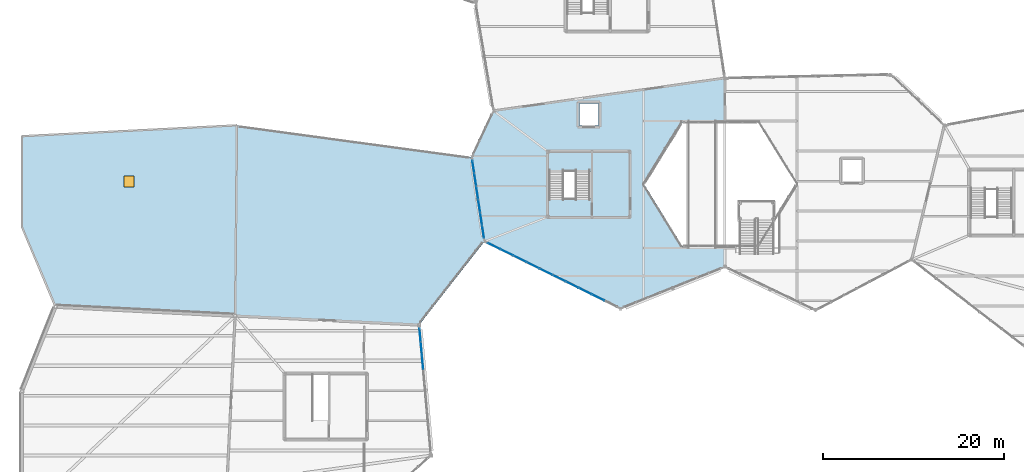
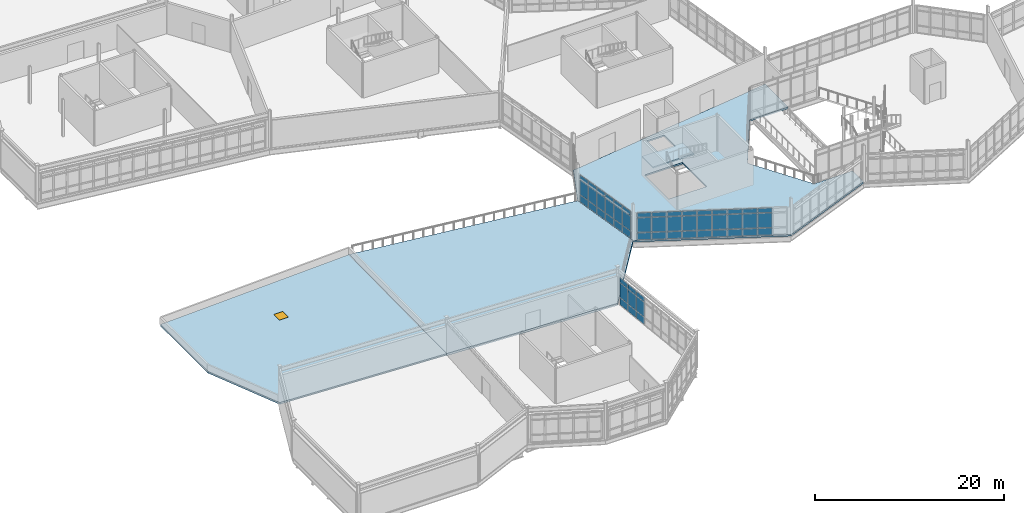
# One storey, part 69 of 114: 54 plates, 4 slabs, 1 door, 1 opening, 4 elements without a shape of their own.
"""IFC4 building model written with IfcOpenShell, lengths in metres."""

from ifc_helpers import new_model, si_unit, direction, frame, origin, origin_2d, place, context, subcontext, project, spatial, polyline, rectangle, outline, extrude, material, layer, layer_set, type_object, element, fill, aggregate, save


model = new_model("IFC4")

# Units and contexts
model_context = context("Model", 3, precision=1e-05, world=origin(), true_north=direction((0.0, 1.0)))
body_context = subcontext(model_context, "Body", "Model", "MODEL_VIEW")
ifc_project = project(units=[si_unit("LENGTHUNIT", "METRE"), si_unit("AREAUNIT", "SQUARE_METRE"), si_unit("VOLUMEUNIT", "CUBIC_METRE"), si_unit("PLANEANGLEUNIT", "RADIAN"), si_unit("MASSUNIT", "GRAM", prefix="KILO")], contexts=[model_context])

# Site, building, storey
site_placement = place(None, origin())
site = spatial("IfcSite", under=ifc_project, at=site_placement, CompositionType="ELEMENT")
building_placement = place(site_placement, origin())
building = spatial("IfcBuilding", under=site, at=building_placement, Name="Tameran Prism Museum", CompositionType="ELEMENT")
storey_placement = place(building_placement, frame((0.0, 0.0, 10.199951171875)))
storey = spatial("IfcBuildingStorey", under=building, at=storey_placement, Name="L02", CompositionType="ELEMENT", Elevation=10.199951171875)

# Curtain wall, plates
ifc_material_1 = material(Name="Anodised Aluminium 6063-T6 and Cyclone Solar Glass", Category="aluminium")
curtain_wall_type_1 = type_object("IfcCurtainWallType", Name="CW-FAC-1376x362", PredefinedType="USERDEFINED", material=ifc_material_1)
curtain_wall_1_placement = place(storey_placement, origin())
curtain_wall_1 = element("IfcCurtainWall", 1, at=curtain_wall_1_placement, inside=storey, type_object=curtain_wall_type_1, Name="Unitised Curtain Wall CW-123", ObjectType="UNITISED CURTAIN WALL", PredefinedType="USERDEFINED")
ifc_material_2 = material(Name="Low-E Laminated Solar Glass", Category="glass")
ifc_layer_1 = layer(ifc_material_2, 0.028076171875)
ifc_layer_set_1 = layer_set([ifc_layer_1])
plate_type_1 = type_object("IfcPlateType", Name="CW-PNL-G28", PredefinedType="CURTAIN_PANEL", material=ifc_layer_set_1)
plate_1_placement = place(storey_placement, frame((43.901123046875, 19.87353515625, 0.06494140625), z_axis=(0.0, 0.0, 1.0), x_axis=(0.089985225386, -0.995943100389, 0.0)))
plate_1 = element("IfcPlate", 2, at=plate_1_placement, type_object=plate_type_1, Name="CW-123 panel 1.1", PredefinedType="CURTAIN_PANEL", context=body_context, shape_type="SweptSolid", body=[
    extrude(rectangle(XDim=1.43115234375, YDim=0.028076171875, at=origin_2d()), origin(), (0.0, 0.0, 1.0), 0.902587890625),
])
plate_2_placement = place(storey_placement, frame((43.901123046875, 19.87353515625, 1.032470703125), z_axis=(0.0, 0.0, 1.0), x_axis=(0.089985225386, -0.995943100389, 0.0)))
plate_2 = element("IfcPlate", 3, at=plate_2_placement, type_object=plate_type_1, Name="CW-123 panel 1.2", PredefinedType="CURTAIN_PANEL", context=body_context, shape_type="SweptSolid", body=[
    extrude(rectangle(XDim=1.43115234375, YDim=0.028076171875, at=origin_2d()), origin(), (0.0, 0.0, 1.0), 1.875),
])
plate_3_placement = place(storey_placement, frame((43.901123046875, 19.87353515625, 2.97265625), z_axis=(0.0, 0.0, 1.0), x_axis=(0.089985225386, -0.995943100389, 0.0)))
plate_3 = element("IfcPlate", 4, at=plate_3_placement, type_object=plate_type_1, Name="CW-123 panel 1.3", PredefinedType="CURTAIN_PANEL", context=body_context, shape_type="SweptSolid", body=[
    extrude(rectangle(XDim=1.43115234375, YDim=0.028076171875, at=origin_2d()), origin(), (0.0, 0.0, 1.0), 0.58251953125),
])
plate_4_placement = place(storey_placement, frame((44.037353515625, 18.367431640625, 0.06494140625), z_axis=(0.0, 0.0, 1.0), x_axis=(0.089985225386, -0.995943100389, 0.0)))
plate_4 = element("IfcPlate", 5, at=plate_4_placement, type_object=plate_type_1, Name="CW-123 panel 2.1", PredefinedType="CURTAIN_PANEL", context=body_context, shape_type="SweptSolid", body=[
    extrude(rectangle(XDim=1.463623046875, YDim=0.028076171875, at=origin_2d()), origin(), (0.0, 0.0, 1.0), 0.902587890625),
])
plate_5_placement = place(storey_placement, frame((44.037353515625, 18.367431640625, 1.032470703125), z_axis=(0.0, 0.0, 1.0), x_axis=(0.089985225386, -0.995943100389, 0.0)))
plate_5 = element("IfcPlate", 6, at=plate_5_placement, type_object=plate_type_1, Name="CW-123 panel 2.2", PredefinedType="CURTAIN_PANEL", context=body_context, shape_type="SweptSolid", body=[
    extrude(rectangle(XDim=1.463623046875, YDim=0.028076171875, at=origin_2d()), origin(), (0.0, 0.0, 1.0), 1.875),
])
plate_6_placement = place(storey_placement, frame((44.037353515625, 18.367431640625, 2.97265625), z_axis=(0.0, 0.0, 1.0), x_axis=(0.089985225386, -0.995943100389, 0.0)))
plate_6 = element("IfcPlate", 7, at=plate_6_placement, type_object=plate_type_1, Name="CW-123 panel 2.3", PredefinedType="CURTAIN_PANEL", context=body_context, shape_type="SweptSolid", body=[
    extrude(rectangle(XDim=1.463623046875, YDim=0.028076171875, at=origin_2d()), origin(), (0.0, 0.0, 1.0), 0.58251953125),
])
plate_7_placement = place(storey_placement, frame((44.1748046875, 16.844970703125, 0.06494140625), z_axis=(0.0, 0.0, 1.0), x_axis=(0.089985225386, -0.995943100389, 0.0)))
plate_7 = element("IfcPlate", 8, at=plate_7_placement, type_object=plate_type_1, Name="CW-123 panel 3.1", PredefinedType="CURTAIN_PANEL", context=body_context, shape_type="SweptSolid", body=[
    extrude(rectangle(XDim=1.463623046875, YDim=0.028076171875, at=origin_2d()), origin(), (0.0, 0.0, 1.0), 0.902587890625),
])
plate_8_placement = place(storey_placement, frame((44.1748046875, 16.844970703125, 1.032470703125), z_axis=(0.0, 0.0, 1.0), x_axis=(0.089985225386, -0.995943100389, 0.0)))
plate_8 = element("IfcPlate", 9, at=plate_8_placement, type_object=plate_type_1, Name="CW-123 panel 3.2", PredefinedType="CURTAIN_PANEL", context=body_context, shape_type="SweptSolid", body=[
    extrude(rectangle(XDim=1.463623046875, YDim=0.028076171875, at=origin_2d()), origin(), (0.0, 0.0, 1.0), 1.875),
])
plate_9_placement = place(storey_placement, frame((44.1748046875, 16.844970703125, 2.97265625), z_axis=(0.0, 0.0, 1.0), x_axis=(0.089985225386, -0.995943100389, 0.0)))
plate_9 = element("IfcPlate", 10, at=plate_9_placement, type_object=plate_type_1, Name="CW-123 panel 3.3", PredefinedType="CURTAIN_PANEL", context=body_context, shape_type="SweptSolid", body=[
    extrude(rectangle(XDim=1.463623046875, YDim=0.028076171875, at=origin_2d()), origin(), (0.0, 0.0, 1.0), 0.58251953125),
])
aggregate(curtain_wall_1, [plate_1, plate_2, plate_3, plate_4, plate_5, plate_6, plate_7, plate_8, plate_9])

ifc_material_3 = material(Name="Anodised Aluminium 6063-T6 and Cyclone Solar Glass", Category="aluminium")
curtain_wall_type_2 = type_object("IfcCurtainWallType", Name="CW-FAC-870x362", PredefinedType="USERDEFINED", material=ifc_material_3)
curtain_wall_2_placement = place(storey_placement, origin())
curtain_wall_2 = element("IfcCurtainWall", 11, at=curtain_wall_2_placement, inside=storey, type_object=curtain_wall_type_2, Name="Unitised Curtain Wall CW-105", ObjectType="UNITISED CURTAIN WALL", PredefinedType="USERDEFINED")
ifc_material_4 = material(Name="Cyclone Laminated Solar Glass", Category="glass")
ifc_layer_2 = layer(ifc_material_4, 0.031982421875)
ifc_layer_set_2 = layer_set([ifc_layer_2])
plate_type_2 = type_object("IfcPlateType", Name="CW-PNL-G32", PredefinedType="CURTAIN_PANEL", material=ifc_layer_set_2)
plate_10_placement = place(storey_placement, frame((50.837158203125, 31.281982421875, 0.0751953125), z_axis=(0.0, 0.0, 1.0), x_axis=(-0.148879703546, 0.988855314933, 0.0)))
plate_10 = element("IfcPlate", 12, at=plate_10_placement, type_object=plate_type_2, Name="CW-105 panel 1.1", PredefinedType="CURTAIN_PANEL", context=body_context, shape_type="SweptSolid", body=[
    extrude(rectangle(XDim=1.33837890625, YDim=0.031982421875, at=origin_2d()), origin(), (0.0, 0.0, 1.0), 0.887451171875),
])
plate_11_placement = place(storey_placement, frame((50.837158203125, 31.281982421875, 1.03759765625), z_axis=(0.0, 0.0, 1.0), x_axis=(-0.148879703546, 0.988855314933, 0.0)))
plate_11 = element("IfcPlate", 13, at=plate_11_placement, type_object=plate_type_2, Name="CW-105 panel 1.2", PredefinedType="CURTAIN_PANEL", context=body_context, shape_type="SweptSolid", body=[
    extrude(rectangle(XDim=1.33837890625, YDim=0.031982421875, at=origin_2d()), origin(), (0.0, 0.0, 1.0), 1.864990234375),
])
plate_12_placement = place(storey_placement, frame((50.837158203125, 31.281982421875, 2.9775390625), z_axis=(0.0, 0.0, 1.0), x_axis=(-0.148879703546, 0.988855314933, 0.0)))
plate_12 = element("IfcPlate", 14, at=plate_12_placement, type_object=plate_type_2, Name="CW-105 panel 1.3", PredefinedType="CURTAIN_PANEL", context=body_context, shape_type="SweptSolid", body=[
    extrude(rectangle(XDim=1.33837890625, YDim=0.031982421875, at=origin_2d()), origin(), (0.0, 0.0, 1.0), 0.5673828125),
])
plate_13_placement = place(storey_placement, frame((50.6240234375, 32.697998046875, 0.0751953125), z_axis=(0.0, 0.0, 1.0), x_axis=(-0.148879703546, 0.988855314933, 0.0)))
plate_13 = element("IfcPlate", 15, at=plate_13_placement, type_object=plate_type_2, Name="CW-105 panel 2.1", PredefinedType="CURTAIN_PANEL", context=body_context, shape_type="SweptSolid", body=[
    extrude(rectangle(XDim=1.375732421875, YDim=0.031982421875, at=origin_2d()), origin(), (0.0, 0.0, 1.0), 0.887451171875),
])
plate_14_placement = place(storey_placement, frame((50.6240234375, 32.697998046875, 1.03759765625), z_axis=(0.0, 0.0, 1.0), x_axis=(-0.148879703546, 0.988855314933, 0.0)))
plate_14 = element("IfcPlate", 16, at=plate_14_placement, type_object=plate_type_2, Name="CW-105 panel 2.2", PredefinedType="CURTAIN_PANEL", context=body_context, shape_type="SweptSolid", body=[
    extrude(rectangle(XDim=1.375732421875, YDim=0.031982421875, at=origin_2d()), origin(), (0.0, 0.0, 1.0), 1.864990234375),
])
plate_15_placement = place(storey_placement, frame((50.6240234375, 32.697998046875, 2.9775390625), z_axis=(0.0, 0.0, 1.0), x_axis=(-0.148879703546, 0.988855314933, 0.0)))
plate_15 = element("IfcPlate", 17, at=plate_15_placement, type_object=plate_type_2, Name="CW-105 panel 2.3", PredefinedType="CURTAIN_PANEL", context=body_context, shape_type="SweptSolid", body=[
    extrude(rectangle(XDim=1.375732421875, YDim=0.031982421875, at=origin_2d()), origin(), (0.0, 0.0, 1.0), 0.5673828125),
])
plate_16_placement = place(storey_placement, frame((50.407958984375, 34.132568359375, 0.0751953125), z_axis=(0.0, 0.0, 1.0), x_axis=(-0.148879703546, 0.988855314933, 0.0)))
plate_16 = element("IfcPlate", 18, at=plate_16_placement, type_object=plate_type_2, Name="CW-105 panel 3.1", PredefinedType="CURTAIN_PANEL", context=body_context, shape_type="SweptSolid", body=[
    extrude(rectangle(XDim=1.375732421875, YDim=0.031982421875, at=origin_2d()), origin(), (0.0, 0.0, 1.0), 0.887451171875),
])
plate_17_placement = place(storey_placement, frame((50.407958984375, 34.132568359375, 1.03759765625), z_axis=(0.0, 0.0, 1.0), x_axis=(-0.148879703546, 0.988855314933, 0.0)))
plate_17 = element("IfcPlate", 19, at=plate_17_placement, type_object=plate_type_2, Name="CW-105 panel 3.2", PredefinedType="CURTAIN_PANEL", context=body_context, shape_type="SweptSolid", body=[
    extrude(rectangle(XDim=1.375732421875, YDim=0.031982421875, at=origin_2d()), origin(), (0.0, 0.0, 1.0), 1.864990234375),
])
plate_18_placement = place(storey_placement, frame((50.407958984375, 34.132568359375, 2.9775390625), z_axis=(0.0, 0.0, 1.0), x_axis=(-0.148879703546, 0.988855314933, 0.0)))
plate_18 = element("IfcPlate", 20, at=plate_18_placement, type_object=plate_type_2, Name="CW-105 panel 3.3", PredefinedType="CURTAIN_PANEL", context=body_context, shape_type="SweptSolid", body=[
    extrude(rectangle(XDim=1.375732421875, YDim=0.031982421875, at=origin_2d()), origin(), (0.0, 0.0, 1.0), 0.5673828125),
])
plate_19_placement = place(storey_placement, frame((50.19189453125, 35.5673828125, 0.0751953125), z_axis=(0.0, 0.0, 1.0), x_axis=(-0.148879703546, 0.988855314933, 0.0)))
plate_19 = element("IfcPlate", 21, at=plate_19_placement, type_object=plate_type_2, Name="CW-105 panel 4.1", PredefinedType="CURTAIN_PANEL", context=body_context, shape_type="SweptSolid", body=[
    extrude(rectangle(XDim=1.375732421875, YDim=0.031982421875, at=origin_2d()), origin(), (0.0, 0.0, 1.0), 0.887451171875),
])
plate_20_placement = place(storey_placement, frame((50.19189453125, 35.5673828125, 1.03759765625), z_axis=(0.0, 0.0, 1.0), x_axis=(-0.148879703546, 0.988855314933, 0.0)))
plate_20 = element("IfcPlate", 22, at=plate_20_placement, type_object=plate_type_2, Name="CW-105 panel 4.2", PredefinedType="CURTAIN_PANEL", context=body_context, shape_type="SweptSolid", body=[
    extrude(rectangle(XDim=1.375732421875, YDim=0.031982421875, at=origin_2d()), origin(), (0.0, 0.0, 1.0), 1.864990234375),
])
plate_21_placement = place(storey_placement, frame((50.19189453125, 35.5673828125, 2.9775390625), z_axis=(0.0, 0.0, 1.0), x_axis=(-0.148879703546, 0.988855314933, 0.0)))
plate_21 = element("IfcPlate", 23, at=plate_21_placement, type_object=plate_type_2, Name="CW-105 panel 4.3", PredefinedType="CURTAIN_PANEL", context=body_context, shape_type="SweptSolid", body=[
    extrude(rectangle(XDim=1.375732421875, YDim=0.031982421875, at=origin_2d()), origin(), (0.0, 0.0, 1.0), 0.5673828125),
])
plate_22_placement = place(storey_placement, frame((49.97607421875, 37.001953125, 0.0751953125), z_axis=(0.0, 0.0, 1.0), x_axis=(-0.148879703546, 0.988855314933, 0.0)))
plate_22 = element("IfcPlate", 24, at=plate_22_placement, type_object=plate_type_2, Name="CW-105 panel 5.1", PredefinedType="CURTAIN_PANEL", context=body_context, shape_type="SweptSolid", body=[
    extrude(rectangle(XDim=1.375732421875, YDim=0.031982421875, at=origin_2d()), origin(), (0.0, 0.0, 1.0), 0.887451171875),
])
plate_23_placement = place(storey_placement, frame((49.97607421875, 37.001953125, 1.03759765625), z_axis=(0.0, 0.0, 1.0), x_axis=(-0.148879703546, 0.988855314933, 0.0)))
plate_23 = element("IfcPlate", 25, at=plate_23_placement, type_object=plate_type_2, Name="CW-105 panel 5.2", PredefinedType="CURTAIN_PANEL", context=body_context, shape_type="SweptSolid", body=[
    extrude(rectangle(XDim=1.375732421875, YDim=0.031982421875, at=origin_2d()), origin(), (0.0, 0.0, 1.0), 1.864990234375),
])
plate_24_placement = place(storey_placement, frame((49.97607421875, 37.001953125, 2.9775390625), z_axis=(0.0, 0.0, 1.0), x_axis=(-0.148879703546, 0.988855314933, 0.0)))
plate_24 = element("IfcPlate", 26, at=plate_24_placement, type_object=plate_type_2, Name="CW-105 panel 5.3", PredefinedType="CURTAIN_PANEL", context=body_context, shape_type="SweptSolid", body=[
    extrude(rectangle(XDim=1.375732421875, YDim=0.031982421875, at=origin_2d()), origin(), (0.0, 0.0, 1.0), 0.5673828125),
])
plate_25_placement = place(storey_placement, frame((49.7626953125, 38.418212890625, 0.0751953125), z_axis=(0.0, 0.0, 1.0), x_axis=(-0.148879703546, 0.988855314933, 0.0)))
plate_25 = element("IfcPlate", 27, at=plate_25_placement, type_object=plate_type_2, Name="CW-105 panel 6.1", PredefinedType="CURTAIN_PANEL", context=body_context, shape_type="SweptSolid", body=[
    extrude(rectangle(XDim=1.33837890625, YDim=0.031982421875, at=origin_2d()), origin(), (0.0, 0.0, 1.0), 0.887451171875),
])
plate_26_placement = place(storey_placement, frame((49.7626953125, 38.418212890625, 1.03759765625), z_axis=(0.0, 0.0, 1.0), x_axis=(-0.148879703546, 0.988855314933, 0.0)))
plate_26 = element("IfcPlate", 28, at=plate_26_placement, type_object=plate_type_2, Name="CW-105 panel 6.2", PredefinedType="CURTAIN_PANEL", context=body_context, shape_type="SweptSolid", body=[
    extrude(rectangle(XDim=1.33837890625, YDim=0.031982421875, at=origin_2d()), origin(), (0.0, 0.0, 1.0), 1.864990234375),
])
plate_27_placement = place(storey_placement, frame((49.7626953125, 38.418212890625, 2.9775390625), z_axis=(0.0, 0.0, 1.0), x_axis=(-0.148879703546, 0.988855314933, 0.0)))
plate_27 = element("IfcPlate", 29, at=plate_27_placement, type_object=plate_type_2, Name="CW-105 panel 6.3", PredefinedType="CURTAIN_PANEL", context=body_context, shape_type="SweptSolid", body=[
    extrude(rectangle(XDim=1.33837890625, YDim=0.031982421875, at=origin_2d()), origin(), (0.0, 0.0, 1.0), 0.5673828125),
])
aggregate(curtain_wall_2, [plate_10, plate_11, plate_12, plate_13, plate_14, plate_15, plate_16, plate_17, plate_18, plate_19, plate_20, plate_21, plate_22, plate_23, plate_24, plate_25, plate_26, plate_27])

ifc_material_5 = material(Name="Anodised Aluminium 6063-T6 and Cyclone Solar Glass", Category="aluminium")
curtain_wall_type_3 = type_object("IfcCurtainWallType", Name="CW-FAC-1603x362", PredefinedType="USERDEFINED", material=ifc_material_5)
curtain_wall_3_placement = place(storey_placement, origin())
curtain_wall_3 = element("IfcCurtainWall", 30, at=curtain_wall_3_placement, inside=storey, type_object=curtain_wall_type_3, Name="Unitised Curtain Wall CW-106", ObjectType="UNITISED CURTAIN WALL", PredefinedType="USERDEFINED")
plate_28_placement = place(storey_placement, frame((63.5302734375, 24.0185546875, 0.080078125), z_axis=(0.0, 0.0, 1.0), x_axis=(-0.896810506275, 0.44241486846, 0.0)))
plate_28 = element("IfcPlate", 31, at=plate_28_placement, type_object=plate_type_2, Name="CW-106 panel 2.1", PredefinedType="CURTAIN_PANEL", context=body_context, shape_type="SweptSolid", body=[
    extrude(rectangle(XDim=1.5224609375, YDim=0.031982421875, at=origin_2d()), origin(), (0.0, 0.0, 1.0), 0.8798828125),
])
plate_29_placement = place(storey_placement, frame((63.5302734375, 24.0185546875, 1.0400390625), z_axis=(0.0, 0.0, 1.0), x_axis=(-0.896810506275, 0.44241486846, 0.0)))
plate_29 = element("IfcPlate", 32, at=plate_29_placement, type_object=plate_type_2, Name="CW-106 panel 2.2", PredefinedType="CURTAIN_PANEL", context=body_context, shape_type="SweptSolid", body=[
    extrude(rectangle(XDim=1.5224609375, YDim=0.031982421875, at=origin_2d()), origin(), (0.0, 0.0, 1.0), 1.860107421875),
])
plate_30_placement = place(storey_placement, frame((63.5302734375, 24.0185546875, 2.97998046875), z_axis=(0.0, 0.0, 1.0), x_axis=(-0.896810506275, 0.44241486846, 0.0)))
plate_30 = element("IfcPlate", 33, at=plate_30_placement, type_object=plate_type_2, Name="CW-106 panel 2.3", PredefinedType="CURTAIN_PANEL", context=body_context, shape_type="SweptSolid", body=[
    extrude(rectangle(XDim=1.5224609375, YDim=0.031982421875, at=origin_2d()), origin(), (0.0, 0.0, 1.0), 0.56005859375),
])
plate_31_placement = place(storey_placement, frame((62.093017578125, 24.7275390625, 0.080078125), z_axis=(0.0, 0.0, 1.0), x_axis=(-0.896810506275, 0.44241486846, 0.0)))
plate_31 = element("IfcPlate", 34, at=plate_31_placement, type_object=plate_type_2, Name="CW-106 panel 3.1", PredefinedType="CURTAIN_PANEL", context=body_context, shape_type="SweptSolid", body=[
    extrude(rectangle(XDim=1.5224609375, YDim=0.031982421875, at=origin_2d()), origin(), (0.0, 0.0, 1.0), 0.8798828125),
])
plate_32_placement = place(storey_placement, frame((62.093017578125, 24.7275390625, 1.0400390625), z_axis=(0.0, 0.0, 1.0), x_axis=(-0.896810506275, 0.44241486846, 0.0)))
plate_32 = element("IfcPlate", 35, at=plate_32_placement, type_object=plate_type_2, Name="CW-106 panel 3.2", PredefinedType="CURTAIN_PANEL", context=body_context, shape_type="SweptSolid", body=[
    extrude(rectangle(XDim=1.5224609375, YDim=0.031982421875, at=origin_2d()), origin(), (0.0, 0.0, 1.0), 1.860107421875),
])
plate_33_placement = place(storey_placement, frame((62.093017578125, 24.7275390625, 2.97998046875), z_axis=(0.0, 0.0, 1.0), x_axis=(-0.896810506275, 0.44241486846, 0.0)))
plate_33 = element("IfcPlate", 36, at=plate_33_placement, type_object=plate_type_2, Name="CW-106 panel 3.3", PredefinedType="CURTAIN_PANEL", context=body_context, shape_type="SweptSolid", body=[
    extrude(rectangle(XDim=1.5224609375, YDim=0.031982421875, at=origin_2d()), origin(), (0.0, 0.0, 1.0), 0.56005859375),
])
plate_34_placement = place(storey_placement, frame((60.65576171875, 25.4365234375, 0.080078125), z_axis=(0.0, 0.0, 1.0), x_axis=(-0.896810506275, 0.44241486846, 0.0)))
plate_34 = element("IfcPlate", 37, at=plate_34_placement, type_object=plate_type_2, Name="CW-106 panel 4.1", PredefinedType="CURTAIN_PANEL", context=body_context, shape_type="SweptSolid", body=[
    extrude(rectangle(XDim=1.5224609375, YDim=0.031982421875, at=origin_2d()), origin(), (0.0, 0.0, 1.0), 0.8798828125),
])
plate_35_placement = place(storey_placement, frame((60.65576171875, 25.4365234375, 1.0400390625), z_axis=(0.0, 0.0, 1.0), x_axis=(-0.896810506275, 0.44241486846, 0.0)))
plate_35 = element("IfcPlate", 38, at=plate_35_placement, type_object=plate_type_2, Name="CW-106 panel 4.2", PredefinedType="CURTAIN_PANEL", context=body_context, shape_type="SweptSolid", body=[
    extrude(rectangle(XDim=1.5224609375, YDim=0.031982421875, at=origin_2d()), origin(), (0.0, 0.0, 1.0), 1.860107421875),
])
plate_36_placement = place(storey_placement, frame((60.65576171875, 25.4365234375, 2.97998046875), z_axis=(0.0, 0.0, 1.0), x_axis=(-0.896810506275, 0.44241486846, 0.0)))
plate_36 = element("IfcPlate", 39, at=plate_36_placement, type_object=plate_type_2, Name="CW-106 panel 4.3", PredefinedType="CURTAIN_PANEL", context=body_context, shape_type="SweptSolid", body=[
    extrude(rectangle(XDim=1.5224609375, YDim=0.031982421875, at=origin_2d()), origin(), (0.0, 0.0, 1.0), 0.56005859375),
])
plate_37_placement = place(storey_placement, frame((59.218505859375, 26.1455078125, 0.080078125), z_axis=(0.0, 0.0, 1.0), x_axis=(-0.896810506275, 0.44241486846, 0.0)))
plate_37 = element("IfcPlate", 40, at=plate_37_placement, type_object=plate_type_2, Name="CW-106 panel 5.1", PredefinedType="CURTAIN_PANEL", context=body_context, shape_type="SweptSolid", body=[
    extrude(rectangle(XDim=1.5224609375, YDim=0.031982421875, at=origin_2d()), origin(), (0.0, 0.0, 1.0), 0.8798828125),
])
plate_38_placement = place(storey_placement, frame((59.218505859375, 26.1455078125, 1.0400390625), z_axis=(0.0, 0.0, 1.0), x_axis=(-0.896810506275, 0.44241486846, 0.0)))
plate_38 = element("IfcPlate", 41, at=plate_38_placement, type_object=plate_type_2, Name="CW-106 panel 5.2", PredefinedType="CURTAIN_PANEL", context=body_context, shape_type="SweptSolid", body=[
    extrude(rectangle(XDim=1.5224609375, YDim=0.031982421875, at=origin_2d()), origin(), (0.0, 0.0, 1.0), 1.860107421875),
])
plate_39_placement = place(storey_placement, frame((59.218505859375, 26.1455078125, 2.97998046875), z_axis=(0.0, 0.0, 1.0), x_axis=(-0.896810506275, 0.44241486846, 0.0)))
plate_39 = element("IfcPlate", 42, at=plate_39_placement, type_object=plate_type_2, Name="CW-106 panel 5.3", PredefinedType="CURTAIN_PANEL", context=body_context, shape_type="SweptSolid", body=[
    extrude(rectangle(XDim=1.5224609375, YDim=0.031982421875, at=origin_2d()), origin(), (0.0, 0.0, 1.0), 0.56005859375),
])
plate_40_placement = place(storey_placement, frame((57.781494140625, 26.8544921875, 0.080078125), z_axis=(0.0, 0.0, 1.0), x_axis=(-0.896810506275, 0.44241486846, 0.0)))
plate_40 = element("IfcPlate", 43, at=plate_40_placement, type_object=plate_type_2, Name="CW-106 panel 6.1", PredefinedType="CURTAIN_PANEL", context=body_context, shape_type="SweptSolid", body=[
    extrude(rectangle(XDim=1.5224609375, YDim=0.031982421875, at=origin_2d()), origin(), (0.0, 0.0, 1.0), 0.8798828125),
])
plate_41_placement = place(storey_placement, frame((57.781494140625, 26.8544921875, 1.0400390625), z_axis=(0.0, 0.0, 1.0), x_axis=(-0.896810506275, 0.44241486846, 0.0)))
plate_41 = element("IfcPlate", 44, at=plate_41_placement, type_object=plate_type_2, Name="CW-106 panel 6.2", PredefinedType="CURTAIN_PANEL", context=body_context, shape_type="SweptSolid", body=[
    extrude(rectangle(XDim=1.5224609375, YDim=0.031982421875, at=origin_2d()), origin(), (0.0, 0.0, 1.0), 1.860107421875),
])
plate_42_placement = place(storey_placement, frame((57.781494140625, 26.8544921875, 2.97998046875), z_axis=(0.0, 0.0, 1.0), x_axis=(-0.896810506275, 0.44241486846, 0.0)))
plate_42 = element("IfcPlate", 45, at=plate_42_placement, type_object=plate_type_2, Name="CW-106 panel 6.3", PredefinedType="CURTAIN_PANEL", context=body_context, shape_type="SweptSolid", body=[
    extrude(rectangle(XDim=1.5224609375, YDim=0.031982421875, at=origin_2d()), origin(), (0.0, 0.0, 1.0), 0.56005859375),
])
plate_43_placement = place(storey_placement, frame((56.34423828125, 27.5634765625, 0.080078125), z_axis=(0.0, 0.0, 1.0), x_axis=(-0.896810506275, 0.44241486846, 0.0)))
plate_43 = element("IfcPlate", 46, at=plate_43_placement, type_object=plate_type_2, Name="CW-106 panel 7.1", PredefinedType="CURTAIN_PANEL", context=body_context, shape_type="SweptSolid", body=[
    extrude(rectangle(XDim=1.5224609375, YDim=0.031982421875, at=origin_2d()), origin(), (0.0, 0.0, 1.0), 0.8798828125),
])
plate_44_placement = place(storey_placement, frame((56.34423828125, 27.5634765625, 1.0400390625), z_axis=(0.0, 0.0, 1.0), x_axis=(-0.896810506275, 0.44241486846, 0.0)))
plate_44 = element("IfcPlate", 47, at=plate_44_placement, type_object=plate_type_2, Name="CW-106 panel 7.2", PredefinedType="CURTAIN_PANEL", context=body_context, shape_type="SweptSolid", body=[
    extrude(rectangle(XDim=1.5224609375, YDim=0.031982421875, at=origin_2d()), origin(), (0.0, 0.0, 1.0), 1.860107421875),
])
plate_45_placement = place(storey_placement, frame((56.34423828125, 27.5634765625, 2.97998046875), z_axis=(0.0, 0.0, 1.0), x_axis=(-0.896810506275, 0.44241486846, 0.0)))
plate_45 = element("IfcPlate", 48, at=plate_45_placement, type_object=plate_type_2, Name="CW-106 panel 7.3", PredefinedType="CURTAIN_PANEL", context=body_context, shape_type="SweptSolid", body=[
    extrude(rectangle(XDim=1.5224609375, YDim=0.031982421875, at=origin_2d()), origin(), (0.0, 0.0, 1.0), 0.56005859375),
])
plate_46_placement = place(storey_placement, frame((54.906982421875, 28.2724609375, 0.080078125), z_axis=(0.0, 0.0, 1.0), x_axis=(-0.896810506275, 0.44241486846, 0.0)))
plate_46 = element("IfcPlate", 49, at=plate_46_placement, type_object=plate_type_2, Name="CW-106 panel 8.1", PredefinedType="CURTAIN_PANEL", context=body_context, shape_type="SweptSolid", body=[
    extrude(rectangle(XDim=1.5224609375, YDim=0.031982421875, at=origin_2d()), origin(), (0.0, 0.0, 1.0), 0.8798828125),
])
plate_47_placement = place(storey_placement, frame((54.906982421875, 28.2724609375, 1.0400390625), z_axis=(0.0, 0.0, 1.0), x_axis=(-0.896810506275, 0.44241486846, 0.0)))
plate_47 = element("IfcPlate", 50, at=plate_47_placement, type_object=plate_type_2, Name="CW-106 panel 8.2", PredefinedType="CURTAIN_PANEL", context=body_context, shape_type="SweptSolid", body=[
    extrude(rectangle(XDim=1.5224609375, YDim=0.031982421875, at=origin_2d()), origin(), (0.0, 0.0, 1.0), 1.860107421875),
])
plate_48_placement = place(storey_placement, frame((54.906982421875, 28.2724609375, 2.97998046875), z_axis=(0.0, 0.0, 1.0), x_axis=(-0.896810506275, 0.44241486846, 0.0)))
plate_48 = element("IfcPlate", 51, at=plate_48_placement, type_object=plate_type_2, Name="CW-106 panel 8.3", PredefinedType="CURTAIN_PANEL", context=body_context, shape_type="SweptSolid", body=[
    extrude(rectangle(XDim=1.5224609375, YDim=0.031982421875, at=origin_2d()), origin(), (0.0, 0.0, 1.0), 0.56005859375),
])
plate_49_placement = place(storey_placement, frame((53.4697265625, 28.9814453125, 0.080078125), z_axis=(0.0, 0.0, 1.0), x_axis=(-0.896810506275, 0.44241486846, 0.0)))
plate_49 = element("IfcPlate", 52, at=plate_49_placement, type_object=plate_type_2, Name="CW-106 panel 9.1", PredefinedType="CURTAIN_PANEL", context=body_context, shape_type="SweptSolid", body=[
    extrude(rectangle(XDim=1.5224609375, YDim=0.031982421875, at=origin_2d()), origin(), (0.0, 0.0, 1.0), 0.8798828125),
])
plate_50_placement = place(storey_placement, frame((53.4697265625, 28.9814453125, 1.0400390625), z_axis=(0.0, 0.0, 1.0), x_axis=(-0.896810506275, 0.44241486846, 0.0)))
plate_50 = element("IfcPlate", 53, at=plate_50_placement, type_object=plate_type_2, Name="CW-106 panel 9.2", PredefinedType="CURTAIN_PANEL", context=body_context, shape_type="SweptSolid", body=[
    extrude(rectangle(XDim=1.5224609375, YDim=0.031982421875, at=origin_2d()), origin(), (0.0, 0.0, 1.0), 1.860107421875),
])
plate_51_placement = place(storey_placement, frame((53.4697265625, 28.9814453125, 2.97998046875), z_axis=(0.0, 0.0, 1.0), x_axis=(-0.896810506275, 0.44241486846, 0.0)))
plate_51 = element("IfcPlate", 54, at=plate_51_placement, type_object=plate_type_2, Name="CW-106 panel 9.3", PredefinedType="CURTAIN_PANEL", context=body_context, shape_type="SweptSolid", body=[
    extrude(rectangle(XDim=1.5224609375, YDim=0.031982421875, at=origin_2d()), origin(), (0.0, 0.0, 1.0), 0.56005859375),
])
plate_52_placement = place(storey_placement, frame((52.050537109375, 29.681640625, 0.080078125), z_axis=(0.0, 0.0, 1.0), x_axis=(-0.896810506275, 0.44241486846, 0.0)))
plate_52 = element("IfcPlate", 55, at=plate_52_placement, type_object=plate_type_2, Name="CW-106 panel 10.1", PredefinedType="CURTAIN_PANEL", context=body_context, shape_type="SweptSolid", body=[
    extrude(rectangle(XDim=1.482666015625, YDim=0.031982421875, at=origin_2d()), origin(), (0.0, 0.0, 1.0), 0.8798828125),
])
plate_53_placement = place(storey_placement, frame((52.050537109375, 29.681640625, 1.0400390625), z_axis=(0.0, 0.0, 1.0), x_axis=(-0.896810506275, 0.44241486846, 0.0)))
plate_53 = element("IfcPlate", 56, at=plate_53_placement, type_object=plate_type_2, Name="CW-106 panel 10.2", PredefinedType="CURTAIN_PANEL", context=body_context, shape_type="SweptSolid", body=[
    extrude(rectangle(XDim=1.482666015625, YDim=0.031982421875, at=origin_2d()), origin(), (0.0, 0.0, 1.0), 1.860107421875),
])
plate_54_placement = place(storey_placement, frame((52.050537109375, 29.681640625, 2.97998046875), z_axis=(0.0, 0.0, 1.0), x_axis=(-0.896810506275, 0.44241486846, 0.0)))
plate_54 = element("IfcPlate", 57, at=plate_54_placement, type_object=plate_type_2, Name="CW-106 panel 10.3", PredefinedType="CURTAIN_PANEL", context=body_context, shape_type="SweptSolid", body=[
    extrude(rectangle(XDim=1.482666015625, YDim=0.031982421875, at=origin_2d()), origin(), (0.0, 0.0, 1.0), 0.56005859375),
])
aggregate(curtain_wall_3, [plate_28, plate_29, plate_30, plate_31, plate_32, plate_33, plate_34, plate_35, plate_36, plate_37, plate_38, plate_39, plate_40, plate_41, plate_42, plate_43, plate_44, plate_45, plate_46, plate_47, plate_48, plate_49, plate_50, plate_51, plate_52, plate_53, plate_54])

# Slab
ifc_material_6 = material(Name="Concrete N32 (32 MPa)", Category="concrete")
ifc_layer_3 = layer(ifc_material_6, 0.199951171875)
ifc_layer_set_3 = layer_set([ifc_layer_3])
slab_type_1 = type_object("IfcSlabType", Name="SL-FLR-200", PredefinedType="FLOOR", material=ifc_layer_set_3)
slab_1_placement = place(storey_placement, frame((0.0, 0.0, -0.199951171875)))
element("IfcSlab", 58, at=slab_1_placement, inside=storey, type_object=slab_type_1, Name="Floor Slab FS-P05-L02", PredefinedType="FLOOR", context=body_context, shape_type="SweptSolid", body=[
    extrude(outline(polyline([(77.5, 27.39990234375), (66.0, 22.800048828125), (51.0, 30.199951171875), (49.60009765625, 39.5), (52.0, 44.60009765625), (77.5, 48.199951171875), (77.5, 43.300048828125), (72.800048828125, 43.300048828125), (68.60009765625, 36.5), (72.800048828125, 29.699951171875), (77.5, 29.699951171875), (77.5, 27.39990234375)]), holes=[polyline([(58.10009765625, 34.93994140625), (62.719970703125, 34.93994140625), (62.719970703125, 40.050048828125), (58.10009765625, 40.050048828125), (58.10009765625, 34.93994140625)]), polyline([(61.449951171875, 43.0), (63.550048828125, 43.0), (63.550048828125, 45.39990234375), (61.449951171875, 45.39990234375), (61.449951171875, 43.0)])]), origin(), (0.0, 0.0, 1.0), 0.199951171875),
])

# Stair, slab
ifc_material_7 = material(Name="Concrete N40 (40 MPa)", Category="concrete")
stair_type = type_object("IfcStairType", Name="ST-CORE-48", PredefinedType="HALF_TURN_STAIR", material=ifc_material_7)
stair_placement = place(storey_placement, origin())
stair = element("IfcStair", 59, at=stair_placement, inside=storey, type_object=stair_type, Name="Fire-Isolated Stair ST-03-L02", PredefinedType="HALF_TURN_STAIR")
ifc_material_8 = material(Name="Concrete N40 (40 MPa)", Category="concrete")
ifc_layer_4 = layer(ifc_material_8, 0.18505859375)
ifc_layer_set_4 = layer_set([ifc_layer_4])
slab_type_2 = type_object("IfcSlabType", Name="SL-LND-185", PredefinedType="LANDING", material=ifc_layer_set_4)
slab_2_placement = place(storey_placement, frame((0.0, 0.0, 2.215087890625)))
slab_2 = element("IfcSlab", 60, at=slab_2_placement, type_object=slab_type_2, Name="ST-03-L02 landing 1", PredefinedType="LANDING", context=body_context, shape_type="SweptSolid", body=[
    extrude(outline(polyline([(57.8798828125, 37.9150390625), (62.8701171875, 37.9150390625), (62.8701171875, 40.219970703125), (57.8798828125, 40.219970703125), (57.8798828125, 37.9150390625)])), origin(), (0.0, 0.0, 1.0), 0.18505859375),
])
aggregate(stair, [slab_2])

# Slab, opening, door
ifc_material_9 = material(Name="Concrete N40 (40 MPa)", Category="concrete")
ifc_layer_5 = layer(ifc_material_9, 0.22998046875)
ifc_layer_set_5 = layer_set([ifc_layer_5])
slab_type_3 = type_object("IfcSlabType", Name="SL-ROOF-230", PredefinedType="ROOF", material=ifc_layer_set_5)
slab_3_placement = place(storey_placement, frame((0.0, 0.0, -0.22998046875)))
slab_3 = element("IfcSlab", 61, at=slab_3_placement, inside=storey, type_object=slab_type_3, Name="Sedum Cool Roof P13 L02", PredefinedType="ROOF", context=body_context, shape_type="SweptSolid", body=[
    extrude(outline(polyline([(23.699951171875, 43.0), (0.0, 41.800048828125), (0.0, 31.800048828125), (3.699951171875, 23.0), (23.5, 22.0), (23.699951171875, 43.0)])), origin(), (0.0, 0.0, 1.0), 0.22998046875),
])
opening_placement = place(slab_3_placement, frame((11.820068359375, 36.800048828125, 0.0)))
opening = element("IfcOpeningElement", 62, at=opening_placement, cuts=slab_3, Name="Opening RH-01", PredefinedType="OPENING", context=body_context, shape_type="SweptSolid", body=[
    extrude(rectangle(XDim=1.10009765625, YDim=1.199951171875, at=origin_2d()), frame((0.0, 0.0, -0.010009765625)), (0.0, 0.0, 1.0), 0.25),
])
ifc_material_10 = material(Name="Cyclone-Rated Anodised Aluminium 6063-T6 and Laminated Glass", Category="aluminium")
door_type = type_object("IfcDoorType", Name="DR-HAT-ROOF", OperationType="SINGLE_SWING_LEFT", PredefinedType="TRAPDOOR", material=ifc_material_10)
door_placement = place(opening_placement, frame((0.0, 0.0, 0.179931640625)))
door = element("IfcDoor", 63, at=door_placement, inside=storey, type_object=door_type, Name="Roof Maintenance Hatch RH-01", OperationType="SINGLE_SWING_LEFT", OverallHeight=1.199951171875, OverallWidth=1.10009765625, PredefinedType="TRAPDOOR", context=body_context, shape_type="SweptSolid", body=[
    extrude(rectangle(XDim=1.10009765625, YDim=1.199951171875, at=origin_2d()), origin(), (0.0, 0.0, 1.0), 0.050048828125),
])
fill(opening, door)

# Slab
ifc_material_11 = material(Name="Concrete N40 (40 MPa)", Category="concrete")
ifc_layer_6 = layer(ifc_material_11, 0.280029296875)
ifc_layer_set_6 = layer_set([ifc_layer_6])
slab_type_4 = type_object("IfcSlabType", Name="SL-TER-280", PredefinedType="USERDEFINED", material=ifc_layer_set_6)
slab_4_placement = place(storey_placement, frame((0.0, 0.0, -0.280029296875)))
element("IfcSlab", 64, at=slab_4_placement, inside=storey, type_object=slab_type_4, Name="Planted Roof Terrace TR-P14-L02", ObjectType="TERRACE", PredefinedType="USERDEFINED", context=body_context, shape_type="SweptSolid", body=[
    extrude(outline(polyline([(23.5, 22.0), (43.800048828125, 21.0), (51.0, 30.199951171875), (49.60009765625, 39.5), (23.699951171875, 43.0), (23.5, 22.0)])), origin(), (0.0, 0.0, 1.0), 0.280029296875),
])

save(model, "model.ifc")
